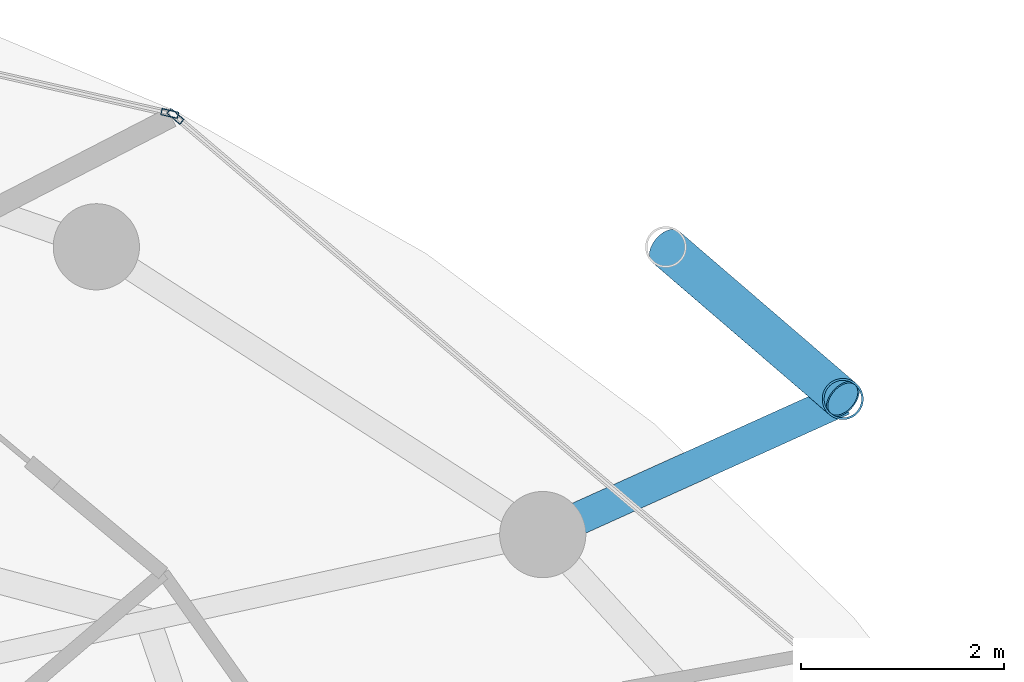
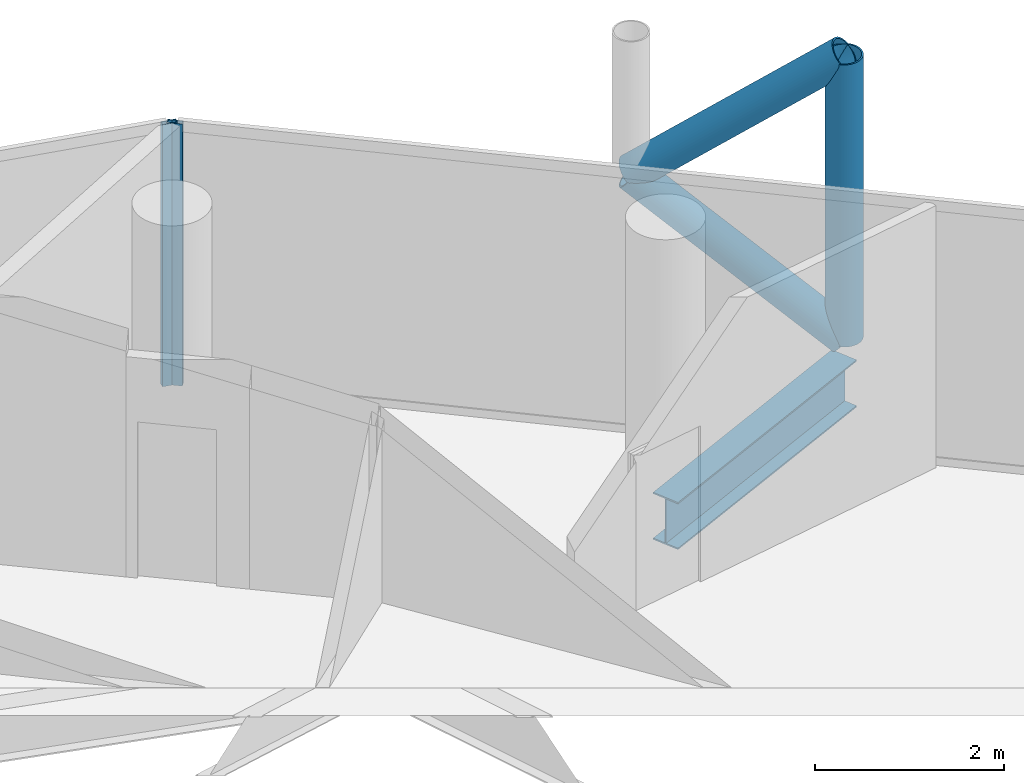
# One storey, part 21 of 27: 5 members, 1 beam, 2 elements without a shape of their own.
"""IFC4 building model written with IfcOpenShell, lengths in metres."""

from ifc_helpers import new_model, si_unit, direction, frame, origin, origin_2d, place, context, subcontext, project, spatial, hollow_rectangle, hollow_circle, i_section, extrude, material, layer, layer_set, material_profile, profile_set, type_object, element, aggregate, save


model = new_model("IFC4")

# Units and contexts
model_context = context("Model", 3, precision=1e-05, world=origin(), true_north=direction((0.0, 1.0)))
body_context = subcontext(model_context, "Body", "Model", "MODEL_VIEW")
ifc_project = project(units=[si_unit("LENGTHUNIT", "METRE"), si_unit("AREAUNIT", "SQUARE_METRE"), si_unit("VOLUMEUNIT", "CUBIC_METRE"), si_unit("PLANEANGLEUNIT", "RADIAN"), si_unit("MASSUNIT", "GRAM", prefix="KILO")], contexts=[model_context])

# Site, building, storey
site_placement = place(None, origin())
site = spatial("IfcSite", under=ifc_project, at=site_placement, CompositionType="ELEMENT")
building_placement = place(site_placement, origin())
building = spatial("IfcBuilding", under=site, at=building_placement, Name="Nuhasar Tower", CompositionType="ELEMENT")
storey_placement = place(building_placement, frame((0.0, 0.0, 251.949951171875)))
storey = spatial("IfcBuildingStorey", under=building, at=storey_placement, Name="L62", CompositionType="ELEMENT", Elevation=251.949951171875)

# Beam
ifc_material_1 = material(Name="Steel S355", Category="steel")
ifc_material_profile_1 = material_profile(ifc_material_1, i_section(OverallWidth=0.323974609375, OverallDepth=0.611083984375, WebThickness=0.0126953125, FlangeThickness=0.01904296875, at=origin_2d()), Name="W24X104")
ifc_profile_set_1 = profile_set([ifc_material_profile_1], Name="Steel S355")
beam_type = type_object("IfcBeamType", Name="BM-TIE-W24X104", PredefinedType="BEAM", material=ifc_profile_set_1)
beam_placement = place(storey_placement, frame((54.02587890625, 39.422119140625, -0.544921875), z_axis=(0.911363318082, 0.411602845538, 0.0), x_axis=(-0.411602845538, 0.911363318082, 0.0)))
element("IfcBeam", 1, at=beam_placement, inside=storey, type_object=beam_type, Name="L62 Exoskeleton Node Tie Beam 02", PredefinedType="BEAM", context=body_context, shape_type="SweptSolid", body=[
    extrude(i_section(OverallWidth=0.323974609375, OverallDepth=0.611083984375, WebThickness=0.0126953125, FlangeThickness=0.01904296875, at=origin_2d()), origin(), (0.0, 0.0, 1.0), 3.24560546875),
])

# Curtain wall, member
ifc_material_2 = material(Name="Aluminium 6063-T6", Category="aluminium")
ifc_layer = layer(ifc_material_2, 0.18994140625)
ifc_layer_set = layer_set([ifc_layer], Name="Aluminium 6063-T6")
curtain_wall_type = type_object("IfcCurtainWallType", Name="CW-Z3-RES", PredefinedType="NOTDEFINED", material=ifc_layer_set)
curtain_wall_1_placement = place(storey_placement, origin())
curtain_wall_1 = element("IfcCurtainWall", 2, at=curtain_wall_1_placement, inside=storey, type_object=curtain_wall_type, Name="L62 Unitised Curtain Wall 02", PredefinedType="NOTDEFINED")
ifc_material_profile_2 = material_profile(ifc_material_2, hollow_rectangle(XDim=0.06494140625, YDim=0.169921875, WallThickness=0.0048828125, at=origin_2d()), Name="CWM-4")
ifc_profile_set_2 = profile_set([ifc_material_profile_2], Name="Aluminium 6063-T6")
member_type_1 = type_object("IfcMemberType", Name="CW-MUL-S4", PredefinedType="MULLION", material=ifc_profile_set_2)
member_1_placement = place(storey_placement, frame((50.40478515625, 43.544921875, 0.0), z_axis=(0.0, 0.0, 1.0), x_axis=(-0.64789521578, -0.761729472562, 0.0)))
member_1 = element("IfcMember", 3, at=member_1_placement, type_object=member_type_1, Name="CW-Z3 mullion 2", PredefinedType="MULLION", context=body_context, shape_type="SweptSolid", body=[
    extrude(hollow_rectangle(XDim=0.06494140625, YDim=0.169921875, WallThickness=0.0048828125, at=origin_2d()), origin(), (0.0, 0.0, 1.0), 3.39013671875),
])
aggregate(curtain_wall_1, [member_1])

curtain_wall_2_placement = place(storey_placement, origin())
curtain_wall_2 = element("IfcCurtainWall", 4, at=curtain_wall_2_placement, inside=storey, type_object=curtain_wall_type, Name="L62 Unitised Curtain Wall 03", PredefinedType="NOTDEFINED")
member_2_placement = place(storey_placement, frame((50.348388671875, 43.5732421875, 0.0), z_axis=(0.0, 0.0, 1.0), x_axis=(-0.222243176313, -0.974991266926, 0.0)))
member_2 = element("IfcMember", 5, at=member_2_placement, type_object=member_type_1, Name="CW-Z3 mullion 1", PredefinedType="MULLION", context=body_context, shape_type="SweptSolid", body=[
    extrude(hollow_rectangle(XDim=0.06494140625, YDim=0.169921875, WallThickness=0.0048828125, at=origin_2d()), origin(), (0.0, 0.0, 1.0), 3.39013671875),
])
aggregate(curtain_wall_2, [member_2])

# Members
ifc_material_3 = material(Name="Steel S460", Category="steel")
ifc_material_profile_3 = material_profile(ifc_material_3, hollow_circle(Radius=0.203125, WallThickness=0.01904296875, at=origin_2d()), Name="HSS406.4X19.1")
ifc_profile_set_3 = profile_set([ifc_material_profile_3], Name="Steel S460")
member_type_2 = type_object("IfcMemberType", Name="EXO-BRONZE-406", PredefinedType="BRACE", material=ifc_profile_set_3)
member_3_placement = place(storey_placement, frame((56.98388671875, 40.758056640625, 0.0), z_axis=(0.0, 0.0, 1.0), x_axis=(1.0, 0.0, 0.0)))
element("IfcMember", 6, at=member_3_placement, inside=storey, type_object=member_type_2, Name="L62 Exoskeleton Chord Column EC-02A", PredefinedType="BRACE", context=body_context, shape_type="SweptSolid", body=[
    extrude(hollow_circle(Radius=0.203125, WallThickness=0.01904296875, at=origin_2d()), origin(), (0.0, 0.0, 1.0), 3.650146484375),
])
for number, where, z_axis, x_axis, name in (
    (7, (56.98388671875, 40.758056640625, 0.0), (-0.594018535389, 0.510608120858, 0.621627964725), (-0.65185738425, -0.758341579104, 0.0), "L62 Bronze Diagrid Brace W1-02"),
    (8, (55.239990234375, 42.257080078125, 1.824951171875), (0.593987827832, -0.51058172517, 0.621678986543), (0.65185738425, 0.758341579104, 0.0), "L62 Bronze Diagrid Brace W2-02"),
):
    element("IfcMember", number, at=place(storey_placement, frame(where, z_axis=z_axis, x_axis=x_axis)), inside=storey, type_object=member_type_2, Name=name, PredefinedType="BRACE", context=body_context, shape_type="SweptSolid", body=[
        extrude(hollow_circle(Radius=0.203125, WallThickness=0.01904296875, at=origin_2d()), origin(), (0.0, 0.0, 1.0), 2.935791015625),
    ])

save(model, "model.ifc")
